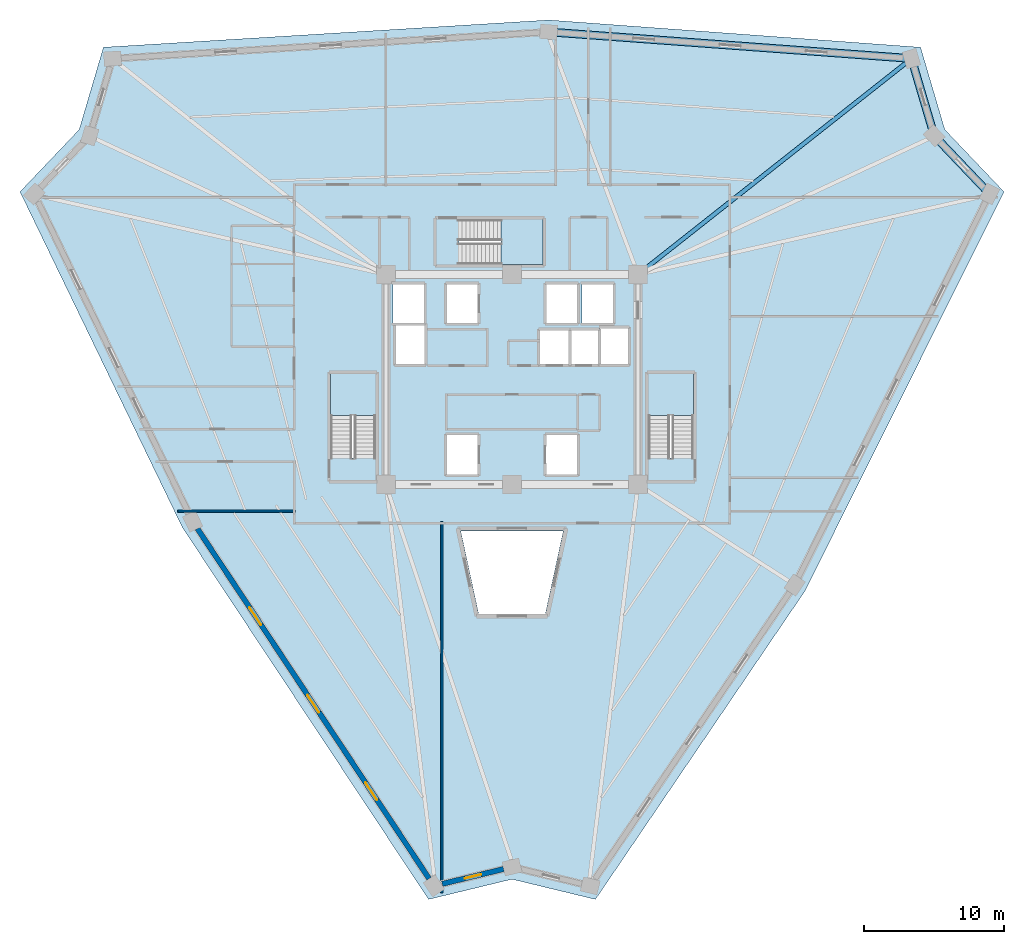
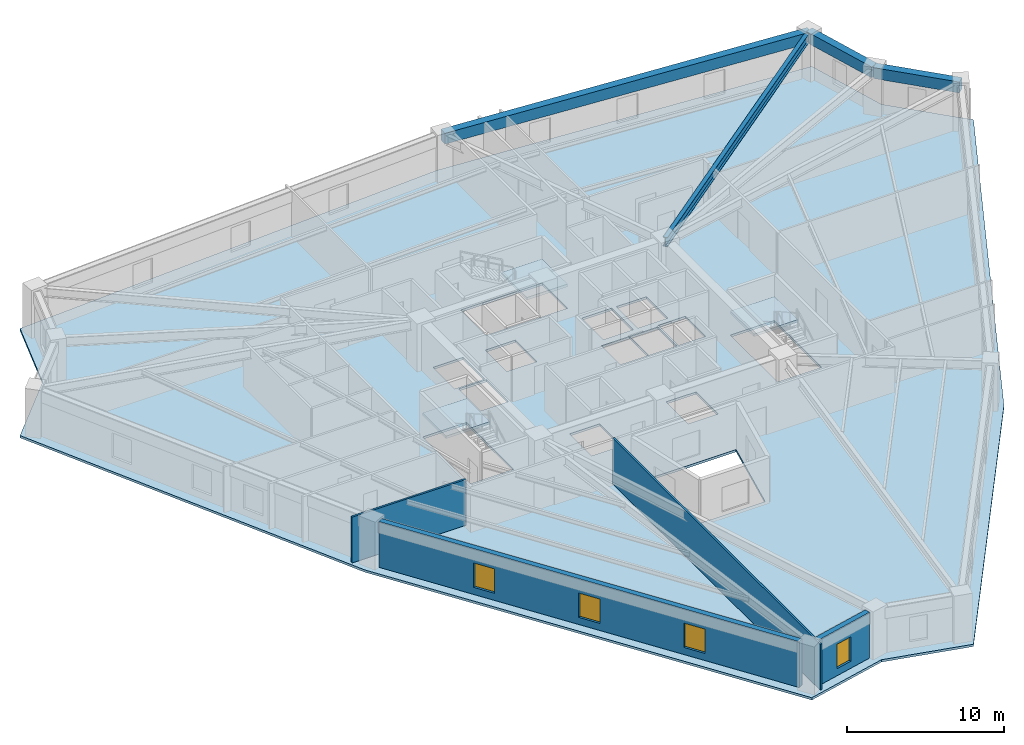
# One storey, part 2 of 8: 4 beams, 4 slabs, 4 walls, 4 windows, 4 openings, 3 elements without a shape of their own.
"""IFC4 building model written with IfcOpenShell, lengths in metres."""

import ifcopenshell
import ifcopenshell.guid

model = None  # the IFC model being written
_history = None  # IfcOwnerHistory: only IFC2X3 demands one
_inside = {}  # id of a spatial element -> (the spatial element, [elements in it])
_under = {}  # id of a project, library or spatial element -> (it, [spatial elements below it])
_declared = {}  # id of a project -> (the project, [libraries it declares])
_typed = {}  # id of a type object -> (the type object, [elements of that type])
_made_of = {}  # id of a material, layer set ... -> (it, [elements and type objects made of it])


def new_model(schema):
    """Start an empty IFC model of exactly this schema.

    Asked for "IFC4X3", IfcOpenShell would pick the latest addendum, in which some entities
    have other attributes; the version numbers below select the first issue.
    IFC2X3 requires an IfcOwnerHistory on every rooted entity: one is made here for all.
    """
    global model, _history
    if schema == "IFC4X3":
        model = ifcopenshell.file(schema_version=(4, 3, 0, 0))
    else:
        model = ifcopenshell.file(schema=schema)
    _inside.clear()
    _under.clear()
    _declared.clear()
    _typed.clear()
    _made_of.clear()
    _history = None
    if model.schema == "IFC2X3":
        org = make("IfcOrganization", Name="unknown")
        user = make(
            "IfcPersonAndOrganization",
            ThePerson=make("IfcPerson", FamilyName="unknown"),
            TheOrganization=org,
        )
        app = make(
            "IfcApplication",
            ApplicationDeveloper=org,
            Version="unknown",
            ApplicationFullName="unknown",
            ApplicationIdentifier="unknown",
        )
        _history = make(
            "IfcOwnerHistory",
            OwningUser=user,
            OwningApplication=app,
            ChangeAction="ADDED",
            CreationDate=0,
        )
    return model


def make(cls, **values):
    """One entity of the class cls with the attributes given. An attribute that is None is left unset."""
    return model.create_entity(
        cls, **{name: value for name, value in values.items() if value is not None}
    )


def rooted(cls, **values):
    """An entity with a GlobalId (a new one), such as an element, a storey or a relation."""
    return make(cls, GlobalId=ifcopenshell.guid.new(), OwnerHistory=_history, **values)


def si_unit(unit_type, name, prefix=None):
    """IfcSIUnit, for example si_unit("LENGTHUNIT", "METRE", prefix="MILLI")."""
    return make("IfcSIUnit", UnitType=unit_type, Prefix=prefix, Name=name)


def assignment(units):
    """IfcUnitAssignment: the units of a project."""
    return None if units is None else make("IfcUnitAssignment", Units=units)


def point(xyz):
    """IfcCartesianPoint."""
    return None if xyz is None else make("IfcCartesianPoint", Coordinates=xyz)


def direction(xyz):
    """IfcDirection."""
    return None if xyz is None else make("IfcDirection", DirectionRatios=xyz)


def frame(location, z_axis=None, x_axis=None):
    """IfcAxis2Placement3D, a coordinate frame: its origin and axes. An axis left out is left unset."""
    return make(
        "IfcAxis2Placement3D",
        Location=point(location),
        Axis=direction(z_axis),
        RefDirection=direction(x_axis),
    )


def frame_2d(location, x_axis=None):
    """IfcAxis2Placement2D, a coordinate frame in the plane: its origin and x axis."""
    return make(
        "IfcAxis2Placement2D", Location=point(location), RefDirection=direction(x_axis)
    )


def origin():
    """The frame at (0, 0, 0) with its axes left unset."""
    return frame((0.0, 0.0, 0.0))


def origin_2d():
    """The frame at (0, 0) in the plane with its x axis left unset."""
    return frame_2d((0.0, 0.0))


def place(relative_to, where):
    """IfcLocalPlacement: puts the frame where relative to a parent placement (None: the world)."""
    return make(
        "IfcLocalPlacement", PlacementRelTo=relative_to, RelativePlacement=where
    )


def context(
    kind, dimensions, precision=None, world=None, true_north=None, identifier=None
):
    """IfcGeometricRepresentationContext, for example the 3D "Model" context."""
    return make(
        "IfcGeometricRepresentationContext",
        ContextIdentifier=identifier,
        ContextType=kind,
        CoordinateSpaceDimension=dimensions,
        Precision=precision,
        WorldCoordinateSystem=world,
        TrueNorth=true_north,
    )


def subcontext(parent, identifier, kind, view, scale=None):
    """IfcGeometricRepresentationSubContext, for example "Body" below "Model"."""
    return make(
        "IfcGeometricRepresentationSubContext",
        ContextIdentifier=identifier,
        ContextType=kind,
        ParentContext=parent,
        TargetScale=scale,
        TargetView=view,
    )


def project(units=None, contexts=None):
    """IfcProject with its units and contexts."""
    return rooted(
        "IfcProject",
        Name="project",
        RepresentationContexts=contexts,
        UnitsInContext=assignment(units),
    )


def spatial(cls, under=None, at=None, **own):
    """A site, building, storey or space (cls), placed at a placement, below another one or the project."""
    s = rooted(cls, ObjectPlacement=at, **own)
    if under is not None:
        _under.setdefault(under.id(), (under, []))[1].append(s)
    return s


def polyline(points):
    """IfcPolyline through the points."""
    return make("IfcPolyline", Points=[point(p) for p in points])


def profile(cls, at=None, kind="AREA", **sizes):
    """A parametric profile (cls). Its sizes go by their IFC names, for example OverallWidth=200.0."""
    return make(cls, ProfileType=kind, Position=at, **sizes)


def rectangle(**sizes):
    """IfcRectangleProfileDef."""
    return profile("IfcRectangleProfileDef", **sizes)


def i_section(**sizes):
    """IfcIShapeProfileDef."""
    return profile("IfcIShapeProfileDef", **sizes)


def outline(outer, holes=None, kind="AREA"):
    """IfcArbitraryClosedProfileDef: a profile drawn as a closed curve; with holes, ...WithVoids."""
    if holes is None:
        return make("IfcArbitraryClosedProfileDef", ProfileType=kind, OuterCurve=outer)
    return make(
        "IfcArbitraryProfileDefWithVoids",
        ProfileType=kind,
        OuterCurve=outer,
        InnerCurves=holes,
    )


def extrude(swept, where, along, depth):
    """IfcExtrudedAreaSolid: the profile swept, set in the frame where, extruded along a direction by depth."""
    return make(
        "IfcExtrudedAreaSolid",
        SweptArea=swept,
        Position=where,
        ExtrudedDirection=direction(along),
        Depth=depth,
    )


def shape(context_of_items, identifier, shape_type, items):
    """IfcShapeRepresentation: the items that make up one representation, for example the "Body"."""
    return make(
        "IfcShapeRepresentation",
        ContextOfItems=context_of_items,
        RepresentationIdentifier=identifier,
        RepresentationType=shape_type,
        Items=items,
    )


def source(mapping_origin, context_of_items, identifier, shape_type, items):
    """IfcRepresentationMap: a shape defined once, which mapped items show again and again."""
    return make(
        "IfcRepresentationMap",
        MappingOrigin=mapping_origin,
        MappedRepresentation=shape(context_of_items, identifier, shape_type, items),
    )


def transform(
    local_origin,
    x_axis=None,
    y_axis=None,
    z_axis=None,
    scale=None,
    scale2=None,
    scale3=None,
    uniform=True,
):
    """IfcCartesianTransformationOperator3D, or its non-uniform kind. x_axis, y_axis, z_axis: its Axis1, 2, 3."""
    if uniform:
        return make(
            "IfcCartesianTransformationOperator3D",
            Axis1=direction(x_axis),
            Axis2=direction(y_axis),
            LocalOrigin=point(local_origin),
            Scale=scale,
            Axis3=direction(z_axis),
        )
    return make(
        "IfcCartesianTransformationOperator3DnonUniform",
        Axis1=direction(x_axis),
        Axis2=direction(y_axis),
        LocalOrigin=point(local_origin),
        Scale=scale,
        Axis3=direction(z_axis),
        Scale2=scale2,
        Scale3=scale3,
    )


def mapped(mapping_source, mapping_target):
    """IfcMappedItem: shows the shape of a source again, moved by a transform."""
    return make(
        "IfcMappedItem", MappingSource=mapping_source, MappingTarget=mapping_target
    )


def material(Name=None, Category=None):
    """IfcMaterial."""
    return make("IfcMaterial", Name=Name, Category=Category)


def layer(
    of_material, thickness, ventilated=None, Name=None, Category=None, Priority=None
):
    """IfcMaterialLayer: one layer of a wall or slab, of a material (None: an air gap)."""
    return make(
        "IfcMaterialLayer",
        Material=of_material,
        LayerThickness=thickness,
        IsVentilated=ventilated,
        Name=Name,
        Category=Category,
        Priority=Priority,
    )


def layer_set(layers, Name=None):
    """IfcMaterialLayerSet."""
    return make("IfcMaterialLayerSet", MaterialLayers=layers, LayerSetName=Name)


def material_profile(
    of_material, cross_section, Name=None, Category=None, Priority=None
):
    """IfcMaterialProfile: a cross section and its material."""
    return make(
        "IfcMaterialProfile",
        Name=Name,
        Material=of_material,
        Profile=cross_section,
        Priority=Priority,
        Category=Category,
    )


def profile_set(profiles, Name=None, composite=None):
    """IfcMaterialProfileSet."""
    return make(
        "IfcMaterialProfileSet",
        Name=Name,
        MaterialProfiles=profiles,
        CompositeProfile=composite,
    )


def made_of(thing, what):
    """Note that an element or type object is made of a material, layer set ...; save() writes the relation."""
    if what is not None:
        _made_of.setdefault(what.id(), (what, []))[1].append(thing)
    return thing


def type_object(cls, material=None, **own):
    """A type object (cls), such as IfcWallType, which elements share."""
    return made_of(rooted(cls, **own), material)


def element(
    cls,
    number,
    at=None,
    inside=None,
    cuts=None,
    type_object=None,
    material=None,
    context=None,
    identifier="Body",
    shape_type=None,
    held_by="IfcProductDefinitionShape",
    body=None,
    shapes=None,
    **own,
):
    """One element of the class cls, such as IfcWall. Its Tag is "e" and its number.

    at: its placement. inside: the storey or other place that contains it. cuts: it is an
    opening in that element (IfcRelVoidsElement). A single representation is given by context,
    identifier, shape_type and body (its items); several are given by shapes. held_by: the class
    of the entity that holds the representations. save() writes the other relations.
    """
    e = rooted(cls, Tag="e%d" % number, ObjectPlacement=at, **own)
    if body is not None:
        shapes = [shape(context, identifier, shape_type, body)]
    if shapes is not None:
        e.Representation = make(held_by, Representations=shapes)
    if inside is not None:
        _inside.setdefault(inside.id(), (inside, []))[1].append(e)
    if cuts is not None:
        rooted(
            "IfcRelVoidsElement", RelatingBuildingElement=cuts, RelatedOpeningElement=e
        )
    if type_object is not None:
        _typed.setdefault(type_object.id(), (type_object, []))[1].append(e)
    return made_of(e, material)


def fill(opening, filler):
    """IfcRelFillsElement: the door or window that sits in an opening."""
    return rooted(
        "IfcRelFillsElement",
        RelatingOpeningElement=opening,
        RelatedBuildingElement=filler,
    )


def aggregate(whole, parts):
    """IfcRelAggregates: a whole, such as a stair, and the parts it consists of."""
    return rooted("IfcRelAggregates", RelatingObject=whole, RelatedObjects=parts)


def save(model, path):
    """Write the relations noted so far, then the file.

    IfcRelAggregates (storeys below a building ...), IfcRelContainedInSpatialStructure (elements
    in a storey), IfcRelDefinesByType, IfcRelAssociatesMaterial and IfcRelDeclares: one each for
    every whole, place, type object, material and project.
    """
    for whole, parts in _under.values():
        aggregate(whole, parts)
    for where, things in _inside.values():
        rooted(
            "IfcRelContainedInSpatialStructure",
            RelatedElements=things,
            RelatingStructure=where,
        )
    for kind, things in _typed.values():
        rooted("IfcRelDefinesByType", RelatedObjects=things, RelatingType=kind)
    for what, things in _made_of.values():
        rooted("IfcRelAssociatesMaterial", RelatedObjects=things, RelatingMaterial=what)
    for by, libraries in _declared.values():
        rooted("IfcRelDeclares", RelatingContext=by, RelatedDefinitions=libraries)
    model.write(path)


model = new_model("IFC4")

# Units and contexts
model_context = context("Model", 3, precision=1e-05, world=origin(), true_north=direction((0.0, 1.0)))
body_context = subcontext(model_context, "Body", "Model", "MODEL_VIEW")
ifc_project = project(units=[si_unit("LENGTHUNIT", "METRE"), si_unit("AREAUNIT", "SQUARE_METRE"), si_unit("VOLUMEUNIT", "CUBIC_METRE"), si_unit("PLANEANGLEUNIT", "RADIAN"), si_unit("MASSUNIT", "GRAM", prefix="KILO")], contexts=[model_context])

# Site, building, storey
site_placement = place(None, origin())
site = spatial("IfcSite", under=ifc_project, at=site_placement, CompositionType="ELEMENT")
building_placement = place(site_placement, origin())
building = spatial("IfcBuilding", under=site, at=building_placement, Name="Liaohun Quay Tower", CompositionType="ELEMENT")
storey_placement = place(building_placement, frame((0.0, 0.0, 198.0)))
storey = spatial("IfcBuildingStorey", under=building, at=storey_placement, Name="L51", CompositionType="ELEMENT", Elevation=198.0)

# Beams
ifc_material_1 = material(Name="Precast concrete C50", Category="concrete")
ifc_material_profile_1 = material_profile(ifc_material_1, rectangle(XDim=0.550048828125, YDim=0.85009765625, at=origin_2d()), Name="RC550x850")
ifc_profile_set_1 = profile_set([ifc_material_profile_1], Name="Precast concrete C50")
beam_type_1 = type_object("IfcBeamType", Name="BM-SPD-Z3", PredefinedType="SPANDREL", material=ifc_profile_set_1)
shared_shape_1 = source(origin(), body_context, "Body", "SweptSolid", [
    extrude(rectangle(XDim=0.550048828125, YDim=0.85009765625, at=origin_2d()), origin(), (0.0, 0.0, 1.0), 5.737060546875),
])
beam_1_placement = place(storey_placement, frame((90.14306640625, 71.403076171875, 3.14501953125), z_axis=(0.689356516879, -0.724422247474, 0.0), x_axis=(0.724422247474, 0.689356516879, 0.0)))
element("IfcBeam", 1, at=beam_1_placement, inside=storey, type_object=beam_type_1, Name="L51 Precast Spandrel Beam PC08-PC09", PredefinedType="SPANDREL", context=body_context, shape_type="MappedRepresentation", body=[
    mapped(shared_shape_1, transform((0.0, 0.0, 0.0), x_axis=(1.0, 0.0, 0.0), y_axis=(0.0, 1.0, 0.0), z_axis=(0.0, 0.0, 1.0), scale=1.0)),
])
shared_shape_2 = source(origin(), body_context, "Body", "SweptSolid", [
    extrude(rectangle(XDim=0.550048828125, YDim=0.85009765625, at=origin_2d()), origin(), (0.0, 0.0, 1.0), 25.968505859375),
])
beam_2_placement = place(storey_placement, frame((62.6201171875, 78.81201171875, 3.14501953125), z_axis=(0.997322831319, -0.073124347033, 0.0), x_axis=(0.073124347033, 0.997322831319, 0.0)))
element("IfcBeam", 2, at=beam_2_placement, inside=storey, type_object=beam_type_1, Name="L51 Precast Spandrel Beam PC06-PC07", PredefinedType="SPANDREL", context=body_context, shape_type="MappedRepresentation", body=[
    mapped(shared_shape_2, transform((0.0, 0.0, 0.0), x_axis=(1.0, 0.0, 0.0), y_axis=(0.0, 1.0, 0.0), z_axis=(0.0, 0.0, 1.0), scale=1.0)),
])
shared_shape_3 = source(origin(), body_context, "Body", "SweptSolid", [
    extrude(rectangle(XDim=0.550048828125, YDim=0.85009765625, at=origin_2d()), origin(), (0.0, 0.0, 1.0), 5.744384765625),
])
beam_3_placement = place(storey_placement, frame((88.51904296875, 76.9130859375, 3.14501953125), z_axis=(0.282716218071, -0.959203596761, 0.0), x_axis=(0.959203596761, 0.282716218071, 0.0)))
element("IfcBeam", 3, at=beam_3_placement, inside=storey, type_object=beam_type_1, Name="L51 Precast Spandrel Beam PC07-PC08", PredefinedType="SPANDREL", context=body_context, shape_type="MappedRepresentation", body=[
    mapped(shared_shape_3, transform((0.0, 0.0, 0.0), x_axis=(1.0, 0.0, 0.0), y_axis=(0.0, 1.0, 0.0), z_axis=(0.0, 0.0, 1.0), scale=1.0)),
])
ifc_material_2 = material(Name="Steel Q355D", Category="steel")
ifc_material_profile_2 = material_profile(ifc_material_2, i_section(OverallWidth=0.300048828125, OverallDepth=0.699951171875, WebThickness=0.012939453125, FlangeThickness=0.02392578125, at=origin_2d()), Name="HN700x300x13x24")
ifc_profile_set_2 = profile_set([ifc_material_profile_2], Name="Steel Q355D")
beam_type_2 = type_object("IfcBeamType", Name="BM-RAD-U1", PredefinedType="BEAM", material=ifc_profile_set_2)
shared_shape_4 = source(origin(), body_context, "Body", "SweptSolid", [
    extrude(i_section(OverallWidth=0.300048828125, OverallDepth=0.699951171875, WebThickness=0.012939453125, FlangeThickness=0.02392578125, at=origin_2d()), origin(), (0.0, 0.0, 1.0), 24.48388671875),
])
beam_4_placement = place(storey_placement, frame((69.0, 61.5, 3.219970703125), z_axis=(0.78492641016, 0.619589001381, 0.0), x_axis=(-0.619589001381, 0.78492641016, 0.0)))
element("IfcBeam", 4, at=beam_4_placement, inside=storey, type_object=beam_type_2, Name="L51 Radial Primary Girder CC4-PC07", PredefinedType="BEAM", context=body_context, shape_type="MappedRepresentation", body=[
    mapped(shared_shape_4, transform((0.0, 0.0, 0.0), x_axis=(1.0, 0.0, 0.0), y_axis=(0.0, 1.0, 0.0), z_axis=(0.0, 0.0, 1.0), scale=1.0)),
])

# Stair, slab
ifc_material_3 = material(Name="Concrete C45", Category="concrete")
stair_type = type_object("IfcStairType", Name="STR-CORE-OFF", PredefinedType="HALF_TURN_STAIR", material=ifc_material_3)
stair_1_placement = place(storey_placement, origin())
stair_1 = element("IfcStair", 5, at=stair_1_placement, inside=storey, type_object=stair_type, Name="L51 Smokeproof Core Exit Stair ST-1", PredefinedType="HALF_TURN_STAIR")
ifc_layer_1 = layer(ifc_material_3, 0.199951171875, Name="Concrete C45", Category="concrete")
ifc_layer_set_1 = layer_set([ifc_layer_1], Name="Concrete C45")
slab_type_1 = type_object("IfcSlabType", Name="SLB-LND-200", PredefinedType="LANDING", material=ifc_layer_set_1)
slab_1_placement = place(storey_placement, frame((0.0, 0.0, 1.675048828125)))
slab_1 = element("IfcSlab", 6, at=slab_1_placement, type_object=slab_type_1, Name="ST-1 landing 1", PredefinedType="LANDING", context=body_context, shape_type="SweptSolid", body=[
    extrude(outline(polyline([(50.280029296875, 51.429931640625), (50.280029296875, 54.419921875), (47.0400390625, 54.419921875), (47.0400390625, 51.429931640625), (50.280029296875, 51.429931640625)])), origin(), (0.0, 0.0, 1.0), 0.199951171875),
])
aggregate(stair_1, [slab_1])

stair_2_placement = place(storey_placement, origin())
stair_2 = element("IfcStair", 7, at=stair_2_placement, inside=storey, type_object=stair_type, Name="L51 Smokeproof Core Exit Stair ST-2", PredefinedType="HALF_TURN_STAIR")
slab_2_placement = place(storey_placement, frame((0.0, 0.0, 1.675048828125)))
slab_2 = element("IfcSlab", 8, at=slab_2_placement, type_object=slab_type_1, Name="ST-2 landing 1", PredefinedType="LANDING", context=body_context, shape_type="SweptSolid", body=[
    extrude(outline(polyline([(72.9599609375, 51.429931640625), (72.9599609375, 54.419921875), (69.719970703125, 54.419921875), (69.719970703125, 51.429931640625), (72.9599609375, 51.429931640625)])), origin(), (0.0, 0.0, 1.0), 0.199951171875),
])
aggregate(stair_2, [slab_2])

stair_3_placement = place(storey_placement, origin())
stair_3 = element("IfcStair", 9, at=stair_3_placement, inside=storey, type_object=stair_type, Name="L51 Smokeproof Core Exit Stair ST-3", PredefinedType="HALF_TURN_STAIR")
slab_3_placement = place(storey_placement, frame((0.0, 0.0, 1.675048828125)))
slab_3 = element("IfcSlab", 10, at=slab_3_placement, type_object=slab_type_1, Name="ST-3 landing 1", PredefinedType="LANDING", context=body_context, shape_type="SweptSolid", body=[
    extrude(outline(polyline([(59.22998046875, 62.199951171875), (62.219970703125, 62.199951171875), (62.219970703125, 65.43994140625), (59.22998046875, 65.43994140625), (59.22998046875, 62.199951171875)])), origin(), (0.0, 0.0, 1.0), 0.199951171875),
])
aggregate(stair_3, [slab_3])

# Slab
ifc_layer_2 = layer(ifc_material_3, 0.179931640625, Name="Concrete C45", Category="concrete")
ifc_layer_set_2 = layer_set([ifc_layer_2], Name="Concrete C45")
slab_type_2 = type_object("IfcSlabType", Name="SLB-OFF-180", PredefinedType="FLOOR", material=ifc_layer_set_2)
slab_4_placement = place(storey_placement, frame((0.0, 0.0, -0.179931640625)))
element("IfcSlab", 11, at=slab_4_placement, inside=storey, type_object=slab_type_2, Name="L51 Structural Floor Slab", PredefinedType="FLOOR", context=body_context, shape_type="SweptSolid", body=[
    extrude(outline(polyline([(54.04296875, 16.881103515625), (60.0, 18.320068359375), (65.95703125, 16.881103515625), (80.9130859375, 38.89501953125), (95.125, 67.40087890625), (90.89990234375, 71.840087890625), (89.16796875, 77.718017578125), (62.625, 79.6640625), (30.83203125, 77.718017578125), (29.10009765625, 71.840087890625), (24.875, 67.40087890625), (36.4619140625, 43.44189453125), (54.04296875, 16.881103515625)]), holes=[polyline([(63.662109375, 43.199951171875), (56.337890625, 43.199951171875), (57.6201171875, 37.27001953125), (62.3798828125, 37.27001953125), (63.662109375, 43.199951171875)]), polyline([(57.56005859375, 47.2099609375), (57.56005859375, 50.030029296875), (55.340087890625, 50.030029296875), (55.340087890625, 47.2099609375), (57.56005859375, 47.2099609375)]), polyline([(50.280029296875, 54.419921875), (47.0400390625, 54.419921875), (47.0400390625, 48.409912109375), (50.280029296875, 48.409912109375), (50.280029296875, 54.419921875)]), polyline([(53.760009765625, 55.090087890625), (53.760009765625, 57.909912109375), (51.7099609375, 57.909912109375), (51.7099609375, 55.090087890625), (53.760009765625, 55.090087890625)]), polyline([(53.7099609375, 58.0400390625), (53.7099609375, 60.7900390625), (51.489990234375, 60.7900390625), (51.489990234375, 58.0400390625), (53.7099609375, 58.0400390625)]), polyline([(57.56005859375, 58.0400390625), (57.56005859375, 60.7900390625), (55.340087890625, 60.7900390625), (55.340087890625, 58.0400390625), (57.56005859375, 58.0400390625)]), polyline([(62.219970703125, 62.199951171875), (62.219970703125, 65.43994140625), (56.2099609375, 65.43994140625), (56.2099609375, 62.199951171875), (62.219970703125, 62.199951171875)]), polyline([(64.659912109375, 50.030029296875), (62.43994140625, 50.030029296875), (62.43994140625, 47.2099609375), (64.659912109375, 47.2099609375), (64.659912109375, 50.030029296875)]), polyline([(72.9599609375, 54.419921875), (69.719970703125, 54.419921875), (69.719970703125, 48.409912109375), (72.9599609375, 48.409912109375), (72.9599609375, 54.419921875)]), polyline([(64.06005859375, 55.090087890625), (64.06005859375, 57.510009765625), (61.989990234375, 57.510009765625), (61.989990234375, 55.090087890625), (64.06005859375, 55.090087890625)]), polyline([(66.159912109375, 55.090087890625), (66.159912109375, 57.510009765625), (64.090087890625, 57.510009765625), (64.090087890625, 55.090087890625), (66.159912109375, 55.090087890625)]), polyline([(68.2900390625, 55.090087890625), (68.2900390625, 57.659912109375), (66.2900390625, 57.659912109375), (66.2900390625, 55.090087890625), (68.2900390625, 55.090087890625)]), polyline([(64.659912109375, 58.0400390625), (64.659912109375, 60.7900390625), (62.43994140625, 60.7900390625), (62.43994140625, 58.0400390625), (64.659912109375, 58.0400390625)]), polyline([(67.2099609375, 58.0400390625), (67.2099609375, 60.7900390625), (64.989990234375, 60.7900390625), (64.989990234375, 58.0400390625), (67.2099609375, 58.0400390625)])]), origin(), (0.0, 0.0, 1.0), 0.179931640625),
])

# Wall, openings, windows
ifc_material_4 = material(Name="Precast concrete C50 insulated sandwich", Category="concrete")
ifc_layer_3 = layer(ifc_material_4, 0.3798828125, Name="Precast concrete C50 insulated sandwich", Category="concrete")
ifc_layer_set_3 = layer_set([ifc_layer_3], Name="Precast concrete C50 insulated sandwich")
wall_type_1 = type_object("IfcWallType", Name="WAL-EXT-Z34", PredefinedType="SOLIDWALL", material=ifc_layer_set_3)
wall_1_placement = place(storey_placement, frame((37.541015625, 43.35107421875, 0.0), z_axis=(0.0, 0.0, 1.0), x_axis=(0.551978948994, -0.833858045394, 0.0)))
wall_1 = element("IfcWall", 12, at=wall_1_placement, inside=storey, type_object=wall_type_1, Name="L51 Brutalist Precast Pier Wall 11", PredefinedType="SOLIDWALL", context=body_context, shape_type="SweptSolid", body=[
    extrude(rectangle(XDim=29.97021484375, YDim=0.3798828125, at=frame_2d((14.985107421875, 0.0))), origin(), (0.0, 0.0, 1.0), 3.570068359375),
])
shared_shape_5 = source(origin(), body_context, "Body", "SweptSolid", [
    extrude(rectangle(XDim=1.5, YDim=1.89990234375, at=frame_2d((0.75, 0.949951171875))), frame((0.0, 0.199951171875, 0.0), z_axis=(0.0, -1.0, 0.0), x_axis=(1.0, 0.0, 0.0)), (0.0, 0.0, 1.0), 0.39990234375),
])
opening_1_placement = place(wall_1_placement, frame((6.742919921875, 0.0, 0.550048828125)))
opening_1 = element("IfcOpeningElement", 13, at=opening_1_placement, cuts=wall_1, Name="Opening W03", PredefinedType="OPENING", context=body_context, shape_type="MappedRepresentation", body=[
    mapped(shared_shape_5, transform((0.0, 0.0, 0.0), x_axis=(1.0, 0.0, 0.0), y_axis=(0.0, 1.0, 0.0), z_axis=(0.0, 0.0, 1.0), scale=1.0)),
])
opening_2_placement = place(wall_1_placement, frame((14.235107421875, 0.0, 0.550048828125)))
opening_2 = element("IfcOpeningElement", 14, at=opening_2_placement, cuts=wall_1, Name="Opening W03", PredefinedType="OPENING", context=body_context, shape_type="MappedRepresentation", body=[
    mapped(shared_shape_5, transform((0.0, 0.0, 0.0), x_axis=(1.0, 0.0, 0.0), y_axis=(0.0, 1.0, 0.0), z_axis=(0.0, 0.0, 1.0), scale=1.0)),
])
opening_3_placement = place(wall_1_placement, frame((21.72802734375, 0.0, 0.550048828125)))
opening_3 = element("IfcOpeningElement", 15, at=opening_3_placement, cuts=wall_1, Name="Opening W03", PredefinedType="OPENING", context=body_context, shape_type="MappedRepresentation", body=[
    mapped(shared_shape_5, transform((0.0, 0.0, 0.0), x_axis=(1.0, 0.0, 0.0), y_axis=(0.0, 1.0, 0.0), z_axis=(0.0, 0.0, 1.0), scale=1.0)),
])
ifc_material_5 = material(Name="Triple Low-E argon glazing in thermally broken aluminium", Category="aluminium")
window_type_1 = type_object("IfcWindowType", Name="WIN-PUN-Z3", PartitioningType="DOUBLE_PANEL_VERTICAL", PredefinedType="WINDOW", material=ifc_material_5)
shared_shape_6 = source(origin(), body_context, "Body", "SweptSolid", [
    extrude(rectangle(XDim=1.5, YDim=1.89990234375, at=frame_2d((0.75, 0.949951171875))), frame((0.0, 0.030029296875, 0.0), z_axis=(0.0, -1.0, 0.0), x_axis=(1.0, 0.0, 0.0)), (0.0, 0.0, 1.0), 0.06005859375),
])
window_1_placement = place(opening_1_placement, origin())
window_1 = element("IfcWindow", 16, at=window_1_placement, inside=storey, type_object=window_type_1, Name="L51 Recessed Cold-Climate Punched Window 11-1", OverallHeight=1.89990234375, OverallWidth=1.5, PartitioningType="DOUBLE_PANEL_VERTICAL", PredefinedType="WINDOW", context=body_context, shape_type="MappedRepresentation", body=[
    mapped(shared_shape_6, transform((0.0, 0.0, 0.0), x_axis=(1.0, 0.0, 0.0), y_axis=(0.0, 1.0, 0.0), z_axis=(0.0, 0.0, 1.0), scale=1.0)),
])
fill(opening_1, window_1)
window_2_placement = place(opening_2_placement, origin())
window_2 = element("IfcWindow", 17, at=window_2_placement, inside=storey, type_object=window_type_1, Name="L51 Recessed Cold-Climate Punched Window 11-2", OverallHeight=1.89990234375, OverallWidth=1.5, PartitioningType="DOUBLE_PANEL_VERTICAL", PredefinedType="WINDOW", context=body_context, shape_type="MappedRepresentation", body=[
    mapped(shared_shape_6, transform((0.0, 0.0, 0.0), x_axis=(1.0, 0.0, 0.0), y_axis=(0.0, 1.0, 0.0), z_axis=(0.0, 0.0, 1.0), scale=1.0)),
])
fill(opening_2, window_2)
window_3_placement = place(opening_3_placement, origin())
window_3 = element("IfcWindow", 18, at=window_3_placement, inside=storey, type_object=window_type_1, Name="L51 Recessed Cold-Climate Punched Window 11-3", OverallHeight=1.89990234375, OverallWidth=1.5, PartitioningType="DOUBLE_PANEL_VERTICAL", PredefinedType="WINDOW", context=body_context, shape_type="MappedRepresentation", body=[
    mapped(shared_shape_6, transform((0.0, 0.0, 0.0), x_axis=(1.0, 0.0, 0.0), y_axis=(0.0, 1.0, 0.0), z_axis=(0.0, 0.0, 1.0), scale=1.0)),
])
fill(opening_3, window_3)

# Wall, opening, window
wall_2_placement = place(storey_placement, frame((55.02099609375, 17.990966796875, 0.0), z_axis=(0.0, 0.0, 1.0), x_axis=(0.972002486445, 0.234970564848, 0.0)))
wall_2 = element("IfcWall", 19, at=wall_2_placement, inside=storey, type_object=wall_type_1, Name="L51 Brutalist Precast Pier Wall 12", PredefinedType="SOLIDWALL", context=body_context, shape_type="SweptSolid", body=[
    extrude(rectangle(XDim=4.50732421875, YDim=0.3798828125, at=frame_2d((2.253662109375, 0.0))), origin(), (0.0, 0.0, 1.0), 3.570068359375),
])
shared_shape_7 = source(origin(), body_context, "Body", "SweptSolid", [
    extrude(rectangle(XDim=1.199951171875, YDim=1.89990234375, at=frame_2d((0.60009765625, 0.949951171875))), frame((0.0, 0.199951171875, 0.0), z_axis=(0.0, -1.0, 0.0), x_axis=(1.0, 0.0, 0.0)), (0.0, 0.0, 1.0), 0.39990234375),
])
opening_4_placement = place(wall_2_placement, frame((1.654052734375, 0.0, 0.550048828125)))
opening_4 = element("IfcOpeningElement", 20, at=opening_4_placement, cuts=wall_2, Name="Opening W05", PredefinedType="OPENING", context=body_context, shape_type="MappedRepresentation", body=[
    mapped(shared_shape_7, transform((0.0, 0.0, 0.0), x_axis=(1.0, 0.0, 0.0), y_axis=(0.0, 1.0, 0.0), z_axis=(0.0, 0.0, 1.0), scale=1.0)),
])
ifc_material_6 = material(Name="Triple Low-E corner notch glazing", Category="glass")
window_type_2 = type_object("IfcWindowType", Name="WIN-NOTCH", PartitioningType="SINGLE_PANEL", PredefinedType="WINDOW", material=ifc_material_6)
shared_shape_8 = source(origin(), body_context, "Body", "SweptSolid", [
    extrude(rectangle(XDim=1.199951171875, YDim=1.89990234375, at=frame_2d((0.60009765625, 0.949951171875))), frame((0.0, 0.030029296875, 0.0), z_axis=(0.0, -1.0, 0.0), x_axis=(1.0, 0.0, 0.0)), (0.0, 0.0, 1.0), 0.06005859375),
])
window_4_placement = place(opening_4_placement, origin())
window_4 = element("IfcWindow", 21, at=window_4_placement, inside=storey, type_object=window_type_2, Name="L51 Corner Notch Window W05-12", OverallHeight=1.89990234375, OverallWidth=1.199951171875, PartitioningType="SINGLE_PANEL", PredefinedType="WINDOW", context=body_context, shape_type="MappedRepresentation", body=[
    mapped(shared_shape_8, transform((0.0, 0.0, 0.0), x_axis=(1.0, 0.0, 0.0), y_axis=(0.0, 1.0, 0.0), z_axis=(0.0, 0.0, 1.0), scale=1.0)),
])
fill(opening_4, window_4)

# Walls
ifc_material_7 = material(Name="Gypsum board on twin steel studs", Category="steel")
ifc_layer_4 = layer(ifc_material_7, 0.139892578125, Name="Gypsum board on twin steel studs", Category="steel")
ifc_layer_set_4 = layer_set([ifc_layer_4], Name="Gypsum board on twin steel studs")
wall_type_2 = type_object("IfcWallType", Name="WAL-PRT-OFF", PredefinedType="PARTITIONING", material=ifc_layer_set_4)
wall_3_placement = place(storey_placement, frame((44.5400390625, 44.60009765625, 0.0), z_axis=(0.0, 0.0, 1.0), x_axis=(-1.0, 0.0, 0.0)))
element("IfcWall", 22, at=wall_3_placement, inside=storey, type_object=wall_type_2, Name="L51 Interior Partition Wall 047", PredefinedType="PARTITIONING", context=body_context, shape_type="SweptSolid", body=[
    extrude(rectangle(XDim=8.39404296875, YDim=0.139892578125, at=frame_2d((4.197021484375, 0.0))), origin(), (0.0, 0.0, 1.0), 3.570068359375),
])
wall_4_placement = place(storey_placement, frame((55.0, 43.840087890625, 0.0), z_axis=(0.0, 0.0, 1.0), x_axis=(0.0, -1.0, 0.0)))
element("IfcWall", 23, at=wall_4_placement, inside=storey, type_object=wall_type_2, Name="L51 Interior Partition Wall 056", PredefinedType="PARTITIONING", context=body_context, shape_type="SweptSolid", body=[
    extrude(rectangle(XDim=26.5009765625, YDim=0.139892578125, at=frame_2d((13.25048828125, 0.0))), origin(), (0.0, 0.0, 1.0), 3.570068359375),
])

save(model, "model.ifc")
